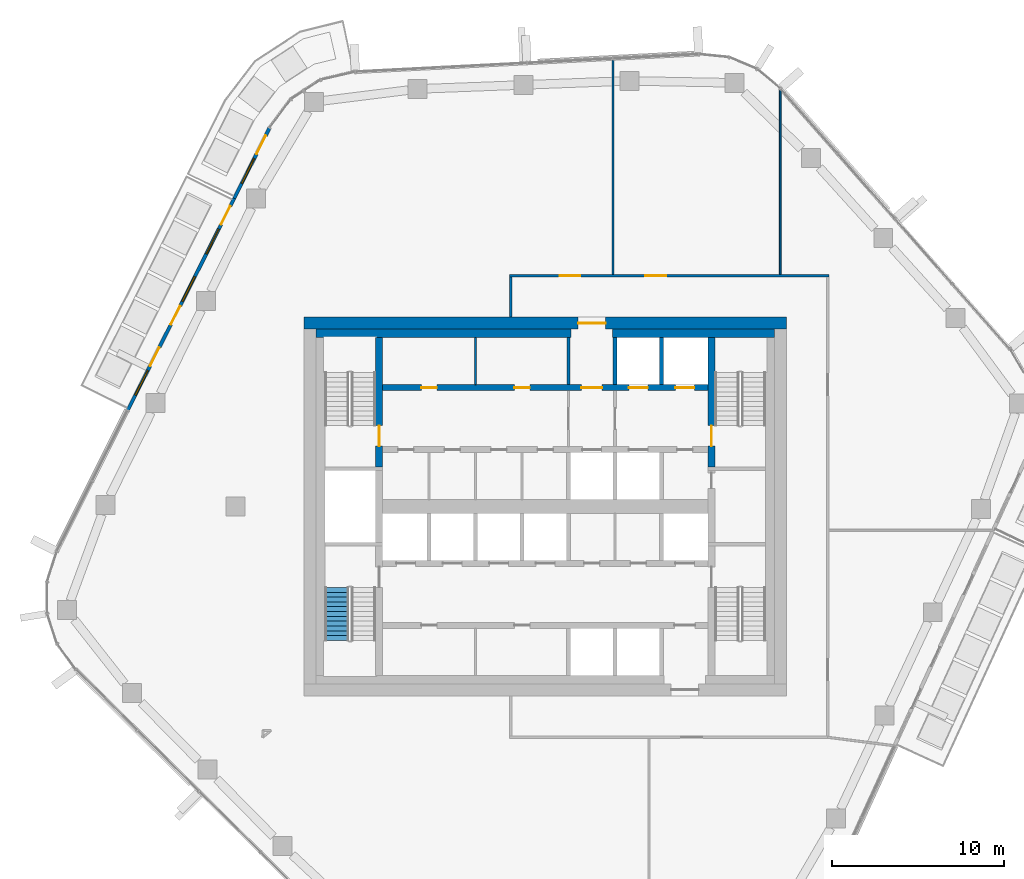
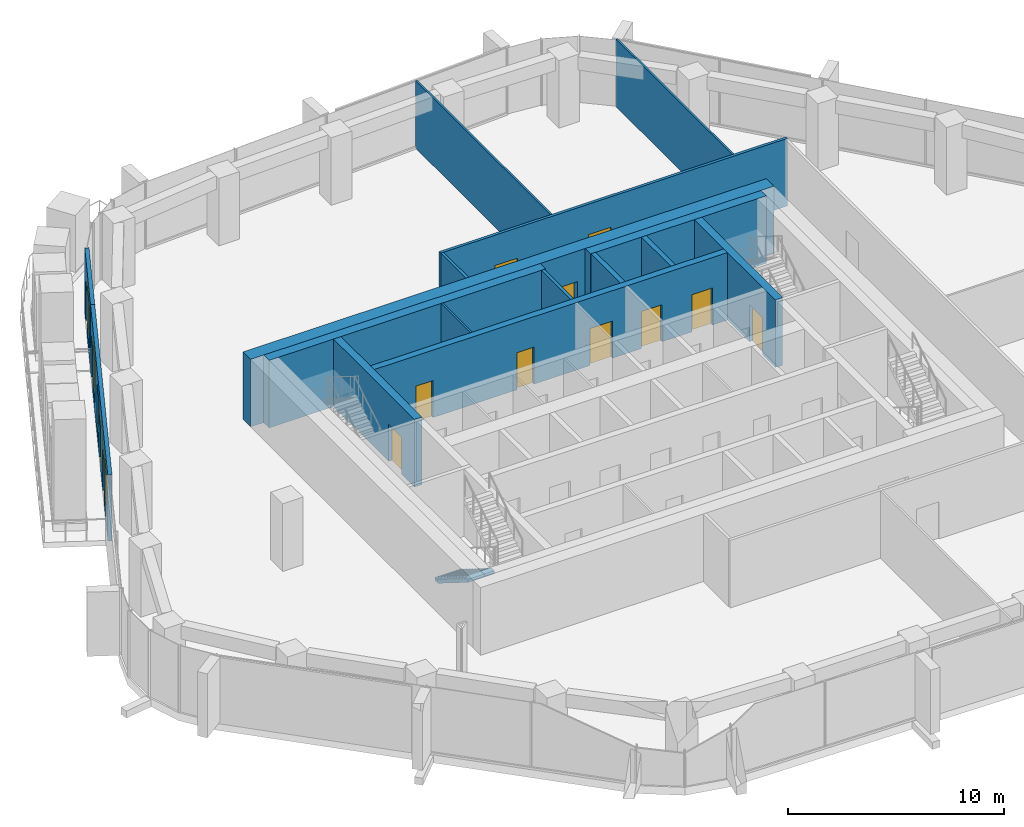
# One storey, part 14 of 22: 16 walls, 14 doors, 4 windows, 1 stair flight, 18 openings, 1 element without a shape of its own.
"""IFC4 building model written with IfcOpenShell, lengths in metres."""

import ifcopenshell
import ifcopenshell.guid

model = None  # the IFC model being written
_history = None  # IfcOwnerHistory: only IFC2X3 demands one
_inside = {}  # id of a spatial element -> (the spatial element, [elements in it])
_under = {}  # id of a project, library or spatial element -> (it, [spatial elements below it])
_declared = {}  # id of a project -> (the project, [libraries it declares])
_typed = {}  # id of a type object -> (the type object, [elements of that type])
_made_of = {}  # id of a material, layer set ... -> (it, [elements and type objects made of it])


def new_model(schema):
    """Start an empty IFC model of exactly this schema.

    Asked for "IFC4X3", IfcOpenShell would pick the latest addendum, in which some entities
    have other attributes; the version numbers below select the first issue.
    IFC2X3 requires an IfcOwnerHistory on every rooted entity: one is made here for all.
    """
    global model, _history
    if schema == "IFC4X3":
        model = ifcopenshell.file(schema_version=(4, 3, 0, 0))
    else:
        model = ifcopenshell.file(schema=schema)
    _inside.clear()
    _under.clear()
    _declared.clear()
    _typed.clear()
    _made_of.clear()
    _history = None
    if model.schema == "IFC2X3":
        org = make("IfcOrganization", Name="unknown")
        user = make(
            "IfcPersonAndOrganization",
            ThePerson=make("IfcPerson", FamilyName="unknown"),
            TheOrganization=org,
        )
        app = make(
            "IfcApplication",
            ApplicationDeveloper=org,
            Version="unknown",
            ApplicationFullName="unknown",
            ApplicationIdentifier="unknown",
        )
        _history = make(
            "IfcOwnerHistory",
            OwningUser=user,
            OwningApplication=app,
            ChangeAction="ADDED",
            CreationDate=0,
        )
    return model


def make(cls, **values):
    """One entity of the class cls with the attributes given. An attribute that is None is left unset."""
    return model.create_entity(
        cls, **{name: value for name, value in values.items() if value is not None}
    )


def rooted(cls, **values):
    """An entity with a GlobalId (a new one), such as an element, a storey or a relation."""
    return make(cls, GlobalId=ifcopenshell.guid.new(), OwnerHistory=_history, **values)


def si_unit(unit_type, name, prefix=None):
    """IfcSIUnit, for example si_unit("LENGTHUNIT", "METRE", prefix="MILLI")."""
    return make("IfcSIUnit", UnitType=unit_type, Prefix=prefix, Name=name)


def assignment(units):
    """IfcUnitAssignment: the units of a project."""
    return None if units is None else make("IfcUnitAssignment", Units=units)


def point(xyz):
    """IfcCartesianPoint."""
    return None if xyz is None else make("IfcCartesianPoint", Coordinates=xyz)


def direction(xyz):
    """IfcDirection."""
    return None if xyz is None else make("IfcDirection", DirectionRatios=xyz)


def frame(location, z_axis=None, x_axis=None):
    """IfcAxis2Placement3D, a coordinate frame: its origin and axes. An axis left out is left unset."""
    return make(
        "IfcAxis2Placement3D",
        Location=point(location),
        Axis=direction(z_axis),
        RefDirection=direction(x_axis),
    )


def frame_2d(location, x_axis=None):
    """IfcAxis2Placement2D, a coordinate frame in the plane: its origin and x axis."""
    return make(
        "IfcAxis2Placement2D", Location=point(location), RefDirection=direction(x_axis)
    )


def origin():
    """The frame at (0, 0, 0) with its axes left unset."""
    return frame((0.0, 0.0, 0.0))


def place(relative_to, where):
    """IfcLocalPlacement: puts the frame where relative to a parent placement (None: the world)."""
    return make(
        "IfcLocalPlacement", PlacementRelTo=relative_to, RelativePlacement=where
    )


def context(
    kind, dimensions, precision=None, world=None, true_north=None, identifier=None
):
    """IfcGeometricRepresentationContext, for example the 3D "Model" context."""
    return make(
        "IfcGeometricRepresentationContext",
        ContextIdentifier=identifier,
        ContextType=kind,
        CoordinateSpaceDimension=dimensions,
        Precision=precision,
        WorldCoordinateSystem=world,
        TrueNorth=true_north,
    )


def subcontext(parent, identifier, kind, view, scale=None):
    """IfcGeometricRepresentationSubContext, for example "Body" below "Model"."""
    return make(
        "IfcGeometricRepresentationSubContext",
        ContextIdentifier=identifier,
        ContextType=kind,
        ParentContext=parent,
        TargetScale=scale,
        TargetView=view,
    )


def project(units=None, contexts=None):
    """IfcProject with its units and contexts."""
    return rooted(
        "IfcProject",
        Name="project",
        RepresentationContexts=contexts,
        UnitsInContext=assignment(units),
    )


def spatial(cls, under=None, at=None, **own):
    """A site, building, storey or space (cls), placed at a placement, below another one or the project."""
    s = rooted(cls, ObjectPlacement=at, **own)
    if under is not None:
        _under.setdefault(under.id(), (under, []))[1].append(s)
    return s


def polyline(points):
    """IfcPolyline through the points."""
    return make("IfcPolyline", Points=[point(p) for p in points])


def profile(cls, at=None, kind="AREA", **sizes):
    """A parametric profile (cls). Its sizes go by their IFC names, for example OverallWidth=200.0."""
    return make(cls, ProfileType=kind, Position=at, **sizes)


def rectangle(**sizes):
    """IfcRectangleProfileDef."""
    return profile("IfcRectangleProfileDef", **sizes)


def outline(outer, holes=None, kind="AREA"):
    """IfcArbitraryClosedProfileDef: a profile drawn as a closed curve; with holes, ...WithVoids."""
    if holes is None:
        return make("IfcArbitraryClosedProfileDef", ProfileType=kind, OuterCurve=outer)
    return make(
        "IfcArbitraryProfileDefWithVoids",
        ProfileType=kind,
        OuterCurve=outer,
        InnerCurves=holes,
    )


def extrude(swept, where, along, depth):
    """IfcExtrudedAreaSolid: the profile swept, set in the frame where, extruded along a direction by depth."""
    return make(
        "IfcExtrudedAreaSolid",
        SweptArea=swept,
        Position=where,
        ExtrudedDirection=direction(along),
        Depth=depth,
    )


def shape(context_of_items, identifier, shape_type, items):
    """IfcShapeRepresentation: the items that make up one representation, for example the "Body"."""
    return make(
        "IfcShapeRepresentation",
        ContextOfItems=context_of_items,
        RepresentationIdentifier=identifier,
        RepresentationType=shape_type,
        Items=items,
    )


def material(Name=None, Category=None):
    """IfcMaterial."""
    return make("IfcMaterial", Name=Name, Category=Category)


def layer(
    of_material, thickness, ventilated=None, Name=None, Category=None, Priority=None
):
    """IfcMaterialLayer: one layer of a wall or slab, of a material (None: an air gap)."""
    return make(
        "IfcMaterialLayer",
        Material=of_material,
        LayerThickness=thickness,
        IsVentilated=ventilated,
        Name=Name,
        Category=Category,
        Priority=Priority,
    )


def layer_set(layers, Name=None):
    """IfcMaterialLayerSet."""
    return make("IfcMaterialLayerSet", MaterialLayers=layers, LayerSetName=Name)


def made_of(thing, what):
    """Note that an element or type object is made of a material, layer set ...; save() writes the relation."""
    if what is not None:
        _made_of.setdefault(what.id(), (what, []))[1].append(thing)
    return thing


def type_object(cls, material=None, **own):
    """A type object (cls), such as IfcWallType, which elements share."""
    return made_of(rooted(cls, **own), material)


def element(
    cls,
    number,
    at=None,
    inside=None,
    cuts=None,
    type_object=None,
    material=None,
    context=None,
    identifier="Body",
    shape_type=None,
    held_by="IfcProductDefinitionShape",
    body=None,
    shapes=None,
    **own,
):
    """One element of the class cls, such as IfcWall. Its Tag is "e" and its number.

    at: its placement. inside: the storey or other place that contains it. cuts: it is an
    opening in that element (IfcRelVoidsElement). A single representation is given by context,
    identifier, shape_type and body (its items); several are given by shapes. held_by: the class
    of the entity that holds the representations. save() writes the other relations.
    """
    e = rooted(cls, Tag="e%d" % number, ObjectPlacement=at, **own)
    if body is not None:
        shapes = [shape(context, identifier, shape_type, body)]
    if shapes is not None:
        e.Representation = make(held_by, Representations=shapes)
    if inside is not None:
        _inside.setdefault(inside.id(), (inside, []))[1].append(e)
    if cuts is not None:
        rooted(
            "IfcRelVoidsElement", RelatingBuildingElement=cuts, RelatedOpeningElement=e
        )
    if type_object is not None:
        _typed.setdefault(type_object.id(), (type_object, []))[1].append(e)
    return made_of(e, material)


def fill(opening, filler):
    """IfcRelFillsElement: the door or window that sits in an opening."""
    return rooted(
        "IfcRelFillsElement",
        RelatingOpeningElement=opening,
        RelatedBuildingElement=filler,
    )


def aggregate(whole, parts):
    """IfcRelAggregates: a whole, such as a stair, and the parts it consists of."""
    return rooted("IfcRelAggregates", RelatingObject=whole, RelatedObjects=parts)


def save(model, path):
    """Write the relations noted so far, then the file.

    IfcRelAggregates (storeys below a building ...), IfcRelContainedInSpatialStructure (elements
    in a storey), IfcRelDefinesByType, IfcRelAssociatesMaterial and IfcRelDeclares: one each for
    every whole, place, type object, material and project.
    """
    for whole, parts in _under.values():
        aggregate(whole, parts)
    for where, things in _inside.values():
        rooted(
            "IfcRelContainedInSpatialStructure",
            RelatedElements=things,
            RelatingStructure=where,
        )
    for kind, things in _typed.values():
        rooted("IfcRelDefinesByType", RelatedObjects=things, RelatingType=kind)
    for what, things in _made_of.values():
        rooted("IfcRelAssociatesMaterial", RelatedObjects=things, RelatingMaterial=what)
    for by, libraries in _declared.values():
        rooted("IfcRelDeclares", RelatingContext=by, RelatedDefinitions=libraries)
    model.write(path)


model = new_model("IFC4")

# Units and contexts
model_context = context("Model", 3, precision=1e-05, world=origin(), true_north=direction((0.0, 1.0)))
body_context = subcontext(model_context, "Body", "Model", "MODEL_VIEW")
ifc_project = project(units=[si_unit("LENGTHUNIT", "METRE"), si_unit("AREAUNIT", "SQUARE_METRE"), si_unit("VOLUMEUNIT", "CUBIC_METRE"), si_unit("PLANEANGLEUNIT", "RADIAN"), si_unit("MASSUNIT", "GRAM", prefix="KILO")], contexts=[model_context])

# Site, building, storey
site_placement = place(None, origin())
site = spatial("IfcSite", under=ifc_project, at=site_placement, CompositionType="ELEMENT")
building_placement = place(site_placement, origin())
building = spatial("IfcBuilding", under=site, at=building_placement, Name="Dongbaek Canopy Tower", CompositionType="ELEMENT")
storey_placement = place(building_placement, frame((0.0, 0.0, 237.0)))
storey = spatial("IfcBuildingStorey", under=building, at=storey_placement, Name="L49", CompositionType="ELEMENT", Elevation=237.0)

# Wall, openings, doors
ifc_material_1 = material(Name="Concrete C60/75", Category="concrete")
ifc_layer_1 = layer(ifc_material_1, 0.35009765625)
ifc_layer_set_1 = layer_set([ifc_layer_1], Name="Core lobby wall 350 Concrete C60/75")
wall_type_1 = type_object("IfcWallType", Name="Core lobby wall 350 Concrete C60/75", PredefinedType="SHEAR", material=ifc_layer_set_1)
wall_1_placement = place(storey_placement, frame((-9.449951171875, 6.89990234375, 0.0), z_axis=(0.0, 0.0, 1.0), x_axis=(1.0, 0.0, 0.0)))
wall_1 = element("IfcWall", 1, at=wall_1_placement, inside=storey, type_object=wall_type_1, Name="Core wall", PredefinedType="SHEAR", context=body_context, shape_type="SweptSolid", body=[
    extrude(rectangle(XDim=18.89990234375, YDim=0.35009765625, at=frame_2d((9.449951171875, 0.0))), origin(), (0.0, 0.0, 1.0), 3.820068359375),
])
opening_1_placement = place(wall_1_placement, frame((11.550048828125, 0.0, 0.0)))
opening_1 = element("IfcOpeningElement", 2, at=opening_1_placement, cuts=wall_1, Name="Opening L49-D008", PredefinedType="OPENING", context=body_context, shape_type="SweptSolid", body=[
    extrude(rectangle(XDim=1.199951171875, YDim=2.10009765625, at=frame_2d((0.60009765625, 1.050048828125))), frame((0.0, 0.18505859375, 0.0), z_axis=(0.0, -1.0, 0.0), x_axis=(1.0, 0.0, 0.0)), (0.0, 0.0, 1.0), 0.3701171875),
])
opening_2_placement = place(wall_1_placement, frame((14.300048828125, 0.0, 0.0)))
opening_2 = element("IfcOpeningElement", 3, at=opening_2_placement, cuts=wall_1, Name="Opening L49-D009", PredefinedType="OPENING", context=body_context, shape_type="SweptSolid", body=[
    extrude(rectangle(XDim=1.10009765625, YDim=2.10009765625, at=frame_2d((0.550048828125, 1.050048828125))), frame((0.0, 0.18505859375, 0.0), z_axis=(0.0, -1.0, 0.0), x_axis=(1.0, 0.0, 0.0)), (0.0, 0.0, 1.0), 0.3701171875),
])
opening_3_placement = place(wall_1_placement, frame((17.0, 0.0, 0.0)))
opening_3 = element("IfcOpeningElement", 4, at=opening_3_placement, cuts=wall_1, Name="Opening L49-D010", PredefinedType="OPENING", context=body_context, shape_type="SweptSolid", body=[
    extrude(rectangle(XDim=1.10009765625, YDim=2.10009765625, at=frame_2d((0.550048828125, 1.050048828125))), frame((0.0, 0.18505859375, 0.0), z_axis=(0.0, -1.0, 0.0), x_axis=(1.0, 0.0, 0.0)), (0.0, 0.0, 1.0), 0.3701171875),
])
opening_4_placement = place(wall_1_placement, frame((2.25, 0.0, 0.0)))
opening_4 = element("IfcOpeningElement", 5, at=opening_4_placement, cuts=wall_1, Name="Opening L49-D021", PredefinedType="OPENING", context=body_context, shape_type="SweptSolid", body=[
    extrude(rectangle(XDim=0.89990234375, YDim=2.10009765625, at=frame_2d((0.449951171875, 1.050048828125))), frame((0.0, 0.18505859375, 0.0), z_axis=(0.0, -1.0, 0.0), x_axis=(1.0, 0.0, 0.0)), (0.0, 0.0, 1.0), 0.3701171875),
])
opening_5_placement = place(wall_1_placement, frame((7.64990234375, 0.0, 0.0)))
opening_5 = element("IfcOpeningElement", 6, at=opening_5_placement, cuts=wall_1, Name="Opening L49-D022", PredefinedType="OPENING", context=body_context, shape_type="SweptSolid", body=[
    extrude(rectangle(XDim=0.89990234375, YDim=2.10009765625, at=frame_2d((0.449951171875, 1.050048828125))), frame((0.0, 0.18505859375, 0.0), z_axis=(0.0, -1.0, 0.0), x_axis=(1.0, 0.0, 0.0)), (0.0, 0.0, 1.0), 0.3701171875),
])
ifc_material_2 = material(Name="Steel", Category="steel")
door_type_1 = type_object("IfcDoorType", Name="Core room door 900 x 2100", OperationType="SINGLE_SWING_LEFT", PredefinedType="DOOR", material=ifc_material_2)
door_1_placement = place(opening_4_placement, origin())
door_1 = element("IfcDoor", 7, at=door_1_placement, inside=storey, type_object=door_type_1, Name="Door L49-D021", OperationType="SINGLE_SWING_RIGHT", OverallHeight=2.10009765625, OverallWidth=0.89990234375, PredefinedType="DOOR", context=body_context, shape_type="SweptSolid", body=[
    extrude(rectangle(XDim=0.89990234375, YDim=2.10009765625, at=frame_2d((0.449951171875, 1.050048828125))), frame((0.0, 0.02490234375, 0.0), z_axis=(0.0, -1.0, 0.0), x_axis=(1.0, 0.0, 0.0)), (0.0, 0.0, 1.0), 0.050048828125),
])
fill(opening_4, door_1)
door_2_placement = place(opening_5_placement, origin())
door_2 = element("IfcDoor", 8, at=door_2_placement, inside=storey, type_object=door_type_1, Name="Door L49-D022", OperationType="SINGLE_SWING_LEFT", OverallHeight=2.10009765625, OverallWidth=0.89990234375, PredefinedType="DOOR", context=body_context, shape_type="SweptSolid", body=[
    extrude(rectangle(XDim=0.89990234375, YDim=2.10009765625, at=frame_2d((0.449951171875, 1.050048828125))), frame((0.0, 0.02490234375, 0.0), z_axis=(0.0, -1.0, 0.0), x_axis=(1.0, 0.0, 0.0)), (0.0, 0.0, 1.0), 0.050048828125),
])
fill(opening_5, door_2)
ifc_material_3 = material(Name="Steel", Category="steel")
door_type_2 = type_object("IfcDoorType", Name="Fire lobby door 1200 x 2100", OperationType="SINGLE_SWING_LEFT", PredefinedType="DOOR", material=ifc_material_3)
door_3_placement = place(opening_1_placement, origin())
door_3 = element("IfcDoor", 9, at=door_3_placement, inside=storey, type_object=door_type_2, Name="Door L49-D008", OperationType="SINGLE_SWING_LEFT", OverallHeight=2.10009765625, OverallWidth=1.199951171875, PredefinedType="DOOR", context=body_context, shape_type="SweptSolid", body=[
    extrude(rectangle(XDim=1.199951171875, YDim=2.10009765625, at=frame_2d((0.60009765625, 1.050048828125))), frame((0.0, 0.02490234375, 0.0), z_axis=(0.0, -1.0, 0.0), x_axis=(1.0, 0.0, 0.0)), (0.0, 0.0, 1.0), 0.050048828125),
])
fill(opening_1, door_3)
ifc_material_4 = material(Name="Stainless steel", Category="steel")
door_type_3 = type_object("IfcDoorType", Name="Lift landing door 1100 x 2100", OperationType="DOUBLE_DOOR_SLIDING", PredefinedType="DOOR", material=ifc_material_4)
door_4_placement = place(opening_2_placement, origin())
door_4 = element("IfcDoor", 10, at=door_4_placement, inside=storey, type_object=door_type_3, Name="Landing door FF1", OperationType="DOUBLE_DOOR_SLIDING", OverallHeight=2.10009765625, OverallWidth=1.10009765625, PredefinedType="DOOR", context=body_context, shape_type="SweptSolid", body=[
    extrude(rectangle(XDim=1.10009765625, YDim=2.10009765625, at=frame_2d((0.550048828125, 1.050048828125))), frame((0.0, 0.02490234375, 0.0), z_axis=(0.0, -1.0, 0.0), x_axis=(1.0, 0.0, 0.0)), (0.0, 0.0, 1.0), 0.050048828125),
])
fill(opening_2, door_4)
door_5_placement = place(opening_3_placement, origin())
door_5 = element("IfcDoor", 11, at=door_5_placement, inside=storey, type_object=door_type_3, Name="Landing door FF2", OperationType="DOUBLE_DOOR_SLIDING", OverallHeight=2.10009765625, OverallWidth=1.10009765625, PredefinedType="DOOR", context=body_context, shape_type="SweptSolid", body=[
    extrude(rectangle(XDim=1.10009765625, YDim=2.10009765625, at=frame_2d((0.550048828125, 1.050048828125))), frame((0.0, 0.02490234375, 0.0), z_axis=(0.0, -1.0, 0.0), x_axis=(1.0, 0.0, 0.0)), (0.0, 0.0, 1.0), 0.050048828125),
])
fill(opening_3, door_5)

# Wall, opening, door
ifc_material_5 = material(Name="Concrete C70/85", Category="concrete")
ifc_layer_2 = layer(ifc_material_5, 0.699951171875)
ifc_layer_set_2 = layer_set([ifc_layer_2], Name="Core outer wall 700 Concrete C70/85")
wall_type_2 = type_object("IfcWallType", Name="Core outer wall 700 Concrete C70/85", PredefinedType="SHEAR", material=ifc_layer_set_2)
wall_2_placement = place(storey_placement, frame((-14.0, 10.64990234375, 0.0), z_axis=(0.0, 0.0, 1.0), x_axis=(1.0, 0.0, 0.0)))
wall_2 = element("IfcWall", 12, at=wall_2_placement, inside=storey, type_object=wall_type_2, Name="Core wall", PredefinedType="SHEAR", context=body_context, shape_type="SweptSolid", body=[
    extrude(rectangle(XDim=28.0, YDim=0.699951171875, at=frame_2d((14.0, 0.0))), origin(), (0.0, 0.0, 1.0), 3.820068359375),
])
opening_6_placement = place(wall_2_placement, frame((15.89990234375, 0.0, 0.0)))
opening_6 = element("IfcOpeningElement", 13, at=opening_6_placement, cuts=wall_2, Name="Opening L49-D007", PredefinedType="OPENING", context=body_context, shape_type="SweptSolid", body=[
    extrude(rectangle(XDim=1.60009765625, YDim=2.10009765625, at=frame_2d((0.800048828125, 1.050048828125))), frame((0.0, 0.35986328125, 0.0), z_axis=(0.0, -1.0, 0.0), x_axis=(1.0, 0.0, 0.0)), (0.0, 0.0, 1.0), 0.719970703125),
])
ifc_material_6 = material(Name="Steel", Category="steel")
door_type_4 = type_object("IfcDoorType", Name="Core exit door 1600 x 2100", OperationType="DOUBLE_DOOR_SINGLE_SWING", PredefinedType="DOOR", material=ifc_material_6)
door_6_placement = place(opening_6_placement, origin())
door_6 = element("IfcDoor", 14, at=door_6_placement, inside=storey, type_object=door_type_4, Name="Core exit door", OperationType="DOUBLE_DOOR_SINGLE_SWING", OverallHeight=2.10009765625, OverallWidth=1.60009765625, PredefinedType="DOOR", context=body_context, shape_type="SweptSolid", body=[
    extrude(rectangle(XDim=1.60009765625, YDim=2.10009765625, at=frame_2d((0.800048828125, 1.050048828125))), frame((0.0, 0.02490234375, 0.0), z_axis=(0.0, -1.0, 0.0), x_axis=(1.0, 0.0, 0.0)), (0.0, 0.0, 1.0), 0.050048828125),
])
fill(opening_6, door_6)

# Walls
ifc_material_7 = material(Name="Concrete C60/75", Category="concrete")
ifc_layer_3 = layer(ifc_material_7, 0.5)
ifc_layer_set_3 = layer_set([ifc_layer_3], Name="Core wall lining 500 Concrete C60/75")
wall_type_3 = type_object("IfcWallType", Name="Core wall lining 500 Concrete C60/75", PredefinedType="SHEAR", material=ifc_layer_set_3)
wall_3_placement = place(storey_placement, frame((-13.300048828125, 10.050048828125, 0.0), z_axis=(0.0, 0.0, 1.0), x_axis=(1.0, 0.0, 0.0)))
element("IfcWall", 15, at=wall_3_placement, inside=storey, type_object=wall_type_3, Name="Core wall lining", PredefinedType="SHEAR", context=body_context, shape_type="SweptSolid", body=[
    extrude(rectangle(XDim=14.800048828125, YDim=0.5, at=frame_2d((7.39990234375, 0.0))), origin(), (0.0, 0.0, 1.0), 3.820068359375),
])
wall_4_placement = place(storey_placement, frame((3.89990234375, 10.050048828125, 0.0), z_axis=(0.0, 0.0, 1.0), x_axis=(1.0, 0.0, 0.0)))
element("IfcWall", 16, at=wall_4_placement, inside=storey, type_object=wall_type_3, Name="Core wall lining", PredefinedType="SHEAR", context=body_context, shape_type="SweptSolid", body=[
    extrude(rectangle(XDim=9.400146484375, YDim=0.5, at=frame_2d((4.7001953125, 0.0))), origin(), (0.0, 0.0, 1.0), 3.820068359375),
])

# Wall, openings, doors
ifc_material_8 = material(Name="Gypsum board partition, steel stud, 2 x 15 mm fire board", Category="steel")
ifc_layer_4 = layer(ifc_material_8, 0.14990234375)
ifc_layer_set_4 = layer_set([ifc_layer_4], Name="Fire-rated partition 150 gypsum board")
wall_type_4 = type_object("IfcWallType", Name="Fire-rated partition 150 gypsum board", PredefinedType="PARTITIONING", material=ifc_layer_set_4)
wall_5_placement = place(storey_placement, frame((-2.074951171875, 13.39990234375, 0.0), z_axis=(0.0, 0.0, 1.0), x_axis=(1.0, 0.0, 0.0)))
wall_5 = element("IfcWall", 17, at=wall_5_placement, inside=storey, type_object=wall_type_4, Name="Corridor partition", PredefinedType="PARTITIONING", context=body_context, shape_type="SweptSolid", body=[
    extrude(rectangle(XDim=18.550048828125, YDim=0.14990234375, at=frame_2d((9.27490234375, 0.0))), origin(), (0.0, 0.0, 1.0), 3.820068359375),
])
opening_7_placement = place(wall_5_placement, frame((2.91015625, 0.0, 0.0)))
opening_7 = element("IfcOpeningElement", 18, at=opening_7_placement, cuts=wall_5, Name="Opening L49-D001", PredefinedType="OPENING", context=body_context, shape_type="SweptSolid", body=[
    extrude(rectangle(XDim=1.199951171875, YDim=2.10009765625, at=frame_2d((0.60009765625, 1.050048828125))), frame((0.0, 0.0849609375, 0.0), z_axis=(0.0, -1.0, 0.0), x_axis=(1.0, 0.0, 0.0)), (0.0, 0.0, 1.0), 0.169921875),
])
opening_8_placement = place(wall_5_placement, frame((7.8935546875, 0.0, 0.0)))
opening_8 = element("IfcOpeningElement", 19, at=opening_8_placement, cuts=wall_5, Name="Opening L49-D005", PredefinedType="OPENING", context=body_context, shape_type="SweptSolid", body=[
    extrude(rectangle(XDim=1.199951171875, YDim=2.10009765625, at=frame_2d((0.60009765625, 1.050048828125))), frame((0.0, 0.0849609375, 0.0), z_axis=(0.0, -1.0, 0.0), x_axis=(1.0, 0.0, 0.0)), (0.0, 0.0, 1.0), 0.169921875),
])
ifc_material_9 = material(Name="Timber veneered door leaf", Category="wood")
door_type_5 = type_object("IfcDoorType", Name="Room door 1200 x 2100", OperationType="SINGLE_SWING_LEFT", PredefinedType="DOOR", material=ifc_material_9)
door_7_placement = place(opening_7_placement, origin())
door_7 = element("IfcDoor", 20, at=door_7_placement, inside=storey, type_object=door_type_5, Name="Door L49-D001", OperationType="SINGLE_SWING_RIGHT", OverallHeight=2.10009765625, OverallWidth=1.199951171875, PredefinedType="DOOR", context=body_context, shape_type="SweptSolid", body=[
    extrude(rectangle(XDim=1.199951171875, YDim=2.10009765625, at=frame_2d((0.60009765625, 1.050048828125))), frame((0.0, 0.02490234375, 0.0), z_axis=(0.0, -1.0, 0.0), x_axis=(1.0, 0.0, 0.0)), (0.0, 0.0, 1.0), 0.050048828125),
])
fill(opening_7, door_7)
door_8_placement = place(opening_8_placement, origin())
door_8 = element("IfcDoor", 21, at=door_8_placement, inside=storey, type_object=door_type_5, Name="Door L49-D005", OperationType="SINGLE_SWING_RIGHT", OverallHeight=2.10009765625, OverallWidth=1.199951171875, PredefinedType="DOOR", context=body_context, shape_type="SweptSolid", body=[
    extrude(rectangle(XDim=1.199951171875, YDim=2.10009765625, at=frame_2d((0.60009765625, 1.050048828125))), frame((0.0, 0.02490234375, 0.0), z_axis=(0.0, -1.0, 0.0), x_axis=(1.0, 0.0, 0.0)), (0.0, 0.0, 1.0), 0.050048828125),
])
fill(opening_8, door_8)

# Walls
wall_6_placement = place(storey_placement, frame((-2.0, 11.0, 0.0), z_axis=(0.0, 0.0, 1.0), x_axis=(0.0, 1.0, 0.0)))
element("IfcWall", 22, at=wall_6_placement, inside=storey, type_object=wall_type_4, Name="Corridor partition", PredefinedType="PARTITIONING", context=body_context, shape_type="SweptSolid", body=[
    extrude(rectangle(XDim=2.324951171875, YDim=0.14990234375, at=frame_2d((1.16259765625, 0.0))), origin(), (0.0, 0.0, 1.0), 3.820068359375),
])
wall_7_placement = place(storey_placement, frame((1.35009765625, 7.074951171875, 0.0), z_axis=(0.0, 0.0, 1.0), x_axis=(0.0, 1.0, 0.0)))
element("IfcWall", 23, at=wall_7_placement, inside=storey, type_object=wall_type_4, Name="Fire lobby partition", PredefinedType="PARTITIONING", context=body_context, shape_type="SweptSolid", body=[
    extrude(rectangle(XDim=2.72509765625, YDim=0.14990234375, at=frame_2d((1.362548828125, 0.0))), origin(), (0.0, 0.0, 1.0), 3.820068359375),
])
ifc_material_10 = material(Name="Concrete C40/50", Category="concrete")
ifc_layer_5 = layer(ifc_material_10, 0.25)
ifc_layer_set_5 = layer_set([ifc_layer_5], Name="Lift shaft wall 250 Concrete C40/50")
wall_type_5 = type_object("IfcWallType", Name="Lift shaft wall 250 Concrete C40/50", PredefinedType="SOLIDWALL", material=ifc_layer_set_5)
for number, where, z_axis, x_axis, name in (
    (24, (6.75, 7.074951171875, 0.0), (0.0, 0.0, 1.0), (0.0, 1.0, 0.0), "Lift shaft wall"),
    (25, (4.050048828125, 7.074951171875, 0.0), (0.0, 0.0, 1.0), (0.0, 1.0, 0.0), "Lift shaft wall"),
):
    element("IfcWall", number, at=place(storey_placement, frame(where, z_axis=z_axis, x_axis=x_axis)), inside=storey, type_object=wall_type_5, Name=name, PredefinedType="SOLIDWALL", context=body_context, shape_type="SweptSolid", body=[
        extrude(rectangle(XDim=2.72509765625, YDim=0.25, at=frame_2d((1.362548828125, 0.0))), origin(), (0.0, 0.0, 1.0), 3.820068359375),
    ])
ifc_material_11 = material(Name="Gypsum board partition, steel stud, 2 x 12.5 mm board", Category="steel")
ifc_layer_6 = layer(ifc_material_11, 0.10009765625)
ifc_layer_set_6 = layer_set([ifc_layer_6], Name="Partition 100 gypsum board")
wall_type_6 = type_object("IfcWallType", Name="Partition 100 gypsum board", PredefinedType="PARTITIONING", material=ifc_layer_set_6)
wall_8_placement = place(storey_placement, frame((13.64697265625, 13.47509765625, 0.0), z_axis=(0.0, 0.0, 1.0), x_axis=(0.0, 1.0, 0.0)))
element("IfcWall", 26, at=wall_8_placement, inside=storey, type_object=wall_type_6, Name="Partition", PredefinedType="PARTITIONING", context=body_context, shape_type="SweptSolid", body=[
    extrude(rectangle(XDim=10.759521484375, YDim=0.10009765625, at=frame_2d((5.3798828125, 0.0))), origin(), (0.0, 0.0, 1.0), 3.820068359375),
])
wall_9_placement = place(storey_placement, frame((3.928955078125, 13.47509765625, 0.0), z_axis=(0.0, 0.0, 1.0), x_axis=(0.0, 1.0, 0.0)))
element("IfcWall", 27, at=wall_9_placement, inside=storey, type_object=wall_type_6, Name="Partition", PredefinedType="PARTITIONING", context=body_context, shape_type="SweptSolid", body=[
    extrude(rectangle(XDim=12.50830078125, YDim=0.10009765625, at=frame_2d((6.254150390625, 0.0))), origin(), (0.0, 0.0, 1.0), 3.820068359375),
])
wall_10_placement = place(storey_placement, frame((-4.050048828125, 7.074951171875, 0.0), z_axis=(0.0, 0.0, 1.0), x_axis=(0.0, 1.0, 0.0)))
element("IfcWall", 28, at=wall_10_placement, inside=storey, type_object=wall_type_6, Name="Core partition", PredefinedType="PARTITIONING", context=body_context, shape_type="SweptSolid", body=[
    extrude(rectangle(XDim=2.72509765625, YDim=0.10009765625, at=frame_2d((1.362548828125, 0.0))), origin(), (0.0, 0.0, 1.0), 3.820068359375),
])

# Wall, opening, door
ifc_material_12 = material(Name="Concrete C60/75", Category="concrete")
ifc_layer_7 = layer(ifc_material_12, 0.39990234375)
ifc_layer_set_7 = layer_set([ifc_layer_7], Name="Stair wall 400 Concrete C60/75")
wall_type_7 = type_object("IfcWallType", Name="Stair wall 400 Concrete C60/75", PredefinedType="SHEAR", material=ifc_layer_set_7)
wall_11_placement = place(storey_placement, frame((9.64990234375, 9.800048828125, 0.0), z_axis=(0.0, 0.0, 1.0), x_axis=(0.0, -1.0, 0.0)))
wall_11 = element("IfcWall", 29, at=wall_11_placement, inside=storey, type_object=wall_type_7, Name="Stair wall", PredefinedType="SHEAR", context=body_context, shape_type="SweptSolid", body=[
    extrude(rectangle(XDim=7.5, YDim=0.39990234375, at=frame_2d((3.75, 0.0))), origin(), (0.0, 0.0, 1.0), 3.820068359375),
])
opening_9_placement = place(wall_11_placement, frame((5.10009765625, 0.0, 0.0)))
opening_9 = element("IfcOpeningElement", 30, at=opening_9_placement, cuts=wall_11, Name="Opening L49-D031", PredefinedType="OPENING", context=body_context, shape_type="SweptSolid", body=[
    extrude(rectangle(XDim=1.199951171875, YDim=2.10009765625, at=frame_2d((0.60009765625, 1.050048828125))), frame((0.0, 0.2099609375, 0.0), z_axis=(0.0, -1.0, 0.0), x_axis=(1.0, 0.0, 0.0)), (0.0, 0.0, 1.0), 0.419921875),
])
ifc_material_13 = material(Name="Steel", Category="steel")
door_type_6 = type_object("IfcDoorType", Name="Stair door 1200 x 2100", OperationType="SINGLE_SWING_LEFT", PredefinedType="DOOR", material=ifc_material_13)
door_9_placement = place(opening_9_placement, origin())
door_9 = element("IfcDoor", 31, at=door_9_placement, inside=storey, type_object=door_type_6, Name="Stair A door", OperationType="SINGLE_SWING_LEFT", OverallHeight=2.10009765625, OverallWidth=1.199951171875, PredefinedType="DOOR", context=body_context, shape_type="SweptSolid", body=[
    extrude(rectangle(XDim=1.199951171875, YDim=2.10009765625, at=frame_2d((0.60009765625, 1.050048828125))), frame((0.0, 0.02490234375, 0.0), z_axis=(0.0, -1.0, 0.0), x_axis=(1.0, 0.0, 0.0)), (0.0, 0.0, 1.0), 0.050048828125),
])
fill(opening_9, door_9)

wall_12_placement = place(storey_placement, frame((-9.64990234375, 2.300048828125, 0.0), z_axis=(0.0, 0.0, 1.0), x_axis=(0.0, 1.0, 0.0)))
wall_12 = element("IfcWall", 32, at=wall_12_placement, inside=storey, type_object=wall_type_7, Name="Stair wall", PredefinedType="SHEAR", context=body_context, shape_type="SweptSolid", body=[
    extrude(rectangle(XDim=7.5, YDim=0.39990234375, at=frame_2d((3.75, 0.0))), origin(), (0.0, 0.0, 1.0), 3.820068359375),
])
opening_10_placement = place(wall_12_placement, frame((1.199951171875, 0.0, 0.0)))
opening_10 = element("IfcOpeningElement", 33, at=opening_10_placement, cuts=wall_12, Name="Opening L49-D032", PredefinedType="OPENING", context=body_context, shape_type="SweptSolid", body=[
    extrude(rectangle(XDim=1.199951171875, YDim=2.10009765625, at=frame_2d((0.60009765625, 1.050048828125))), frame((0.0, 0.2099609375, 0.0), z_axis=(0.0, -1.0, 0.0), x_axis=(1.0, 0.0, 0.0)), (0.0, 0.0, 1.0), 0.419921875),
])
door_10_placement = place(opening_10_placement, origin())
door_10 = element("IfcDoor", 34, at=door_10_placement, inside=storey, type_object=door_type_6, Name="Stair C door", OperationType="SINGLE_SWING_RIGHT", OverallHeight=2.10009765625, OverallWidth=1.199951171875, PredefinedType="DOOR", context=body_context, shape_type="SweptSolid", body=[
    extrude(rectangle(XDim=1.199951171875, YDim=2.10009765625, at=frame_2d((0.60009765625, 1.050048828125))), frame((0.0, 0.02490234375, 0.0), z_axis=(0.0, -1.0, 0.0), x_axis=(1.0, 0.0, 0.0)), (0.0, 0.0, 1.0), 0.050048828125),
])
fill(opening_10, door_10)

# Wall, openings, doors, windows
ifc_material_14 = material(Name="Aluminium window wall", Category="aluminium")
ifc_layer_8 = layer(ifc_material_14, 0.199951171875)
ifc_layer_set_8 = layer_set([ifc_layer_8], Name="Window wall 200")
wall_type_8 = type_object("IfcWallType", Name="Window wall 200", PredefinedType="SOLIDWALL", material=ifc_layer_set_8)
wall_13_placement = place(storey_placement, frame((-18.063720703125, 17.89111328125, 0.0), z_axis=(0.0, 0.0, 1.0), x_axis=(-0.448914630317, -0.893574649756, 0.0)))
wall_13 = element("IfcWall", 35, at=wall_13_placement, inside=storey, type_object=wall_type_8, Name="Window wall L49 1", PredefinedType="SOLIDWALL", context=body_context, shape_type="SweptSolid", body=[
    extrude(rectangle(XDim=13.771728515625, YDim=0.199951171875, at=frame_2d((6.8857421875, 0.0))), origin(), (0.0, 0.0, 1.0), 3.75),
])
opening_11_placement = place(wall_13_placement, frame((2.0, 0.0, 0.60009765625)))
opening_11 = element("IfcOpeningElement", 36, at=opening_11_placement, cuts=wall_13, Name="Opening W1", PredefinedType="OPENING", context=body_context, shape_type="SweptSolid", body=[
    extrude(rectangle(XDim=1.60009765625, YDim=2.39990234375, at=frame_2d((0.800048828125, 1.199951171875))), frame((0.0, 0.10986328125, 0.0), z_axis=(0.0, -1.0, 0.0), x_axis=(1.0, 0.0, 0.0)), (0.0, 0.0, 1.0), 0.219970703125),
])
opening_12_placement = place(wall_13_placement, frame((0.5, 0.0, 0.0)))
opening_12 = element("IfcOpeningElement", 37, at=opening_12_placement, cuts=wall_13, Name="Opening L49-B01", PredefinedType="OPENING", context=body_context, shape_type="SweptSolid", body=[
    extrude(rectangle(XDim=1.199951171875, YDim=2.39990234375, at=frame_2d((0.60009765625, 1.199951171875))), frame((0.0, 0.10986328125, 0.0), z_axis=(0.0, -1.0, 0.0), x_axis=(1.0, 0.0, 0.0)), (0.0, 0.0, 1.0), 0.219970703125),
])
opening_13_placement = place(wall_13_placement, frame((5.090576171875, 0.0, 0.60009765625)))
opening_13 = element("IfcOpeningElement", 38, at=opening_13_placement, cuts=wall_13, Name="Opening W1", PredefinedType="OPENING", context=body_context, shape_type="SweptSolid", body=[
    extrude(rectangle(XDim=1.60009765625, YDim=2.39990234375, at=frame_2d((0.800048828125, 1.199951171875))), frame((0.0, 0.10986328125, 0.0), z_axis=(0.0, -1.0, 0.0), x_axis=(1.0, 0.0, 0.0)), (0.0, 0.0, 1.0), 0.219970703125),
])
opening_14_placement = place(wall_13_placement, frame((6.99072265625, 0.0, 0.0)))
opening_14 = element("IfcOpeningElement", 39, at=opening_14_placement, cuts=wall_13, Name="Opening L49-B02", PredefinedType="OPENING", context=body_context, shape_type="SweptSolid", body=[
    extrude(rectangle(XDim=1.199951171875, YDim=2.39990234375, at=frame_2d((0.60009765625, 1.199951171875))), frame((0.0, 0.10986328125, 0.0), z_axis=(0.0, -1.0, 0.0), x_axis=(1.0, 0.0, 0.0)), (0.0, 0.0, 1.0), 0.219970703125),
])
opening_15_placement = place(wall_13_placement, frame((11.18115234375, 0.0, 0.60009765625)))
opening_15 = element("IfcOpeningElement", 40, at=opening_15_placement, cuts=wall_13, Name="Opening W1", PredefinedType="OPENING", context=body_context, shape_type="SweptSolid", body=[
    extrude(rectangle(XDim=1.60009765625, YDim=2.39990234375, at=frame_2d((0.800048828125, 1.199951171875))), frame((0.0, 0.10986328125, 0.0), z_axis=(0.0, -1.0, 0.0), x_axis=(1.0, 0.0, 0.0)), (0.0, 0.0, 1.0), 0.219970703125),
])
opening_16_placement = place(wall_13_placement, frame((9.68115234375, 0.0, 0.0)))
opening_16 = element("IfcOpeningElement", 41, at=opening_16_placement, cuts=wall_13, Name="Opening L49-B03", PredefinedType="OPENING", context=body_context, shape_type="SweptSolid", body=[
    extrude(rectangle(XDim=1.199951171875, YDim=2.39990234375, at=frame_2d((0.60009765625, 1.199951171875))), frame((0.0, 0.10986328125, 0.0), z_axis=(0.0, -1.0, 0.0), x_axis=(1.0, 0.0, 0.0)), (0.0, 0.0, 1.0), 0.219970703125),
])
ifc_material_15 = material(Name="Clear glazing in aluminium frame", Category="aluminium")
door_type_7 = type_object("IfcDoorType", Name="Balcony door BD1 1200 x 2400", OperationType="SLIDING_TO_LEFT", PredefinedType="DOOR", material=ifc_material_15)
door_11_placement = place(opening_12_placement, origin())
door_11 = element("IfcDoor", 42, at=door_11_placement, inside=storey, type_object=door_type_7, Name="Balcony door L49-B01", OperationType="SLIDING_TO_LEFT", OverallHeight=2.39990234375, OverallWidth=1.199951171875, PredefinedType="DOOR", context=body_context, shape_type="SweptSolid", body=[
    extrude(rectangle(XDim=1.199951171875, YDim=2.39990234375, at=frame_2d((0.60009765625, 1.199951171875))), frame((0.0, 0.02490234375, 0.0), z_axis=(0.0, -1.0, 0.0), x_axis=(1.0, 0.0, 0.0)), (0.0, 0.0, 1.0), 0.050048828125),
])
fill(opening_12, door_11)
door_12_placement = place(opening_14_placement, origin())
door_12 = element("IfcDoor", 43, at=door_12_placement, inside=storey, type_object=door_type_7, Name="Balcony door L49-B02", OperationType="SLIDING_TO_LEFT", OverallHeight=2.39990234375, OverallWidth=1.199951171875, PredefinedType="DOOR", context=body_context, shape_type="SweptSolid", body=[
    extrude(rectangle(XDim=1.199951171875, YDim=2.39990234375, at=frame_2d((0.60009765625, 1.199951171875))), frame((0.0, 0.02490234375, 0.0), z_axis=(0.0, -1.0, 0.0), x_axis=(1.0, 0.0, 0.0)), (0.0, 0.0, 1.0), 0.050048828125),
])
fill(opening_14, door_12)
door_13_placement = place(opening_16_placement, origin())
door_13 = element("IfcDoor", 44, at=door_13_placement, inside=storey, type_object=door_type_7, Name="Balcony door L49-B03", OperationType="SLIDING_TO_LEFT", OverallHeight=2.39990234375, OverallWidth=1.199951171875, PredefinedType="DOOR", context=body_context, shape_type="SweptSolid", body=[
    extrude(rectangle(XDim=1.199951171875, YDim=2.39990234375, at=frame_2d((0.60009765625, 1.199951171875))), frame((0.0, 0.02490234375, 0.0), z_axis=(0.0, -1.0, 0.0), x_axis=(1.0, 0.0, 0.0)), (0.0, 0.0, 1.0), 0.050048828125),
])
fill(opening_16, door_13)
ifc_material_16 = material(Name="Clear glazing in aluminium frame", Category="aluminium")
window_type = type_object("IfcWindowType", Name="Window W1 1600 x 2400", PartitioningType="SINGLE_PANEL", PredefinedType="WINDOW", material=ifc_material_16)
window_1_placement = place(opening_11_placement, origin())
window_1 = element("IfcWindow", 45, at=window_1_placement, inside=storey, type_object=window_type, Name="Window L49 1.1", OverallHeight=2.39990234375, OverallWidth=1.60009765625, PartitioningType="SINGLE_PANEL", PredefinedType="WINDOW", context=body_context, shape_type="SweptSolid", body=[
    extrude(rectangle(XDim=1.60009765625, YDim=2.39990234375, at=frame_2d((0.800048828125, 1.199951171875))), frame((0.0, 0.030029296875, 0.0), z_axis=(0.0, -1.0, 0.0), x_axis=(1.0, 0.0, 0.0)), (0.0, 0.0, 1.0), 0.06005859375),
])
fill(opening_11, window_1)
window_2_placement = place(opening_13_placement, origin())
window_2 = element("IfcWindow", 46, at=window_2_placement, inside=storey, type_object=window_type, Name="Window L49 1.2", OverallHeight=2.39990234375, OverallWidth=1.60009765625, PartitioningType="SINGLE_PANEL", PredefinedType="WINDOW", context=body_context, shape_type="SweptSolid", body=[
    extrude(rectangle(XDim=1.60009765625, YDim=2.39990234375, at=frame_2d((0.800048828125, 1.199951171875))), frame((0.0, 0.030029296875, 0.0), z_axis=(0.0, -1.0, 0.0), x_axis=(1.0, 0.0, 0.0)), (0.0, 0.0, 1.0), 0.06005859375),
])
fill(opening_13, window_2)
window_3_placement = place(opening_15_placement, origin())
window_3 = element("IfcWindow", 47, at=window_3_placement, inside=storey, type_object=window_type, Name="Window L49 1.3", OverallHeight=2.39990234375, OverallWidth=1.60009765625, PartitioningType="SINGLE_PANEL", PredefinedType="WINDOW", context=body_context, shape_type="SweptSolid", body=[
    extrude(rectangle(XDim=1.60009765625, YDim=2.39990234375, at=frame_2d((0.800048828125, 1.199951171875))), frame((0.0, 0.030029296875, 0.0), z_axis=(0.0, -1.0, 0.0), x_axis=(1.0, 0.0, 0.0)), (0.0, 0.0, 1.0), 0.06005859375),
])
fill(opening_15, window_3)

# Wall, openings, door, window
wall_14_placement = place(storey_placement, frame((-16.007080078125, 21.9853515625, 0.0), z_axis=(0.0, 0.0, 1.0), x_axis=(-0.448875324163, -0.893594395325, 0.0)))
wall_14 = element("IfcWall", 48, at=wall_14_placement, inside=storey, type_object=wall_type_8, Name="Window wall L49 4", PredefinedType="SOLIDWALL", context=body_context, shape_type="SweptSolid", body=[
    extrude(rectangle(XDim=4.581787109375, YDim=0.199951171875, at=frame_2d((2.291015625, 0.0))), origin(), (0.0, 0.0, 1.0), 3.75),
])
opening_17_placement = place(wall_14_placement, frame((2.0, 0.0, 0.60009765625)))
opening_17 = element("IfcOpeningElement", 49, at=opening_17_placement, cuts=wall_14, Name="Opening W1", PredefinedType="OPENING", context=body_context, shape_type="SweptSolid", body=[
    extrude(rectangle(XDim=1.60009765625, YDim=2.39990234375, at=frame_2d((0.800048828125, 1.199951171875))), frame((0.0, 0.10986328125, 0.0), z_axis=(0.0, -1.0, 0.0), x_axis=(1.0, 0.0, 0.0)), (0.0, 0.0, 1.0), 0.219970703125),
])
opening_18_placement = place(wall_14_placement, frame((0.5, 0.0, 0.0)))
opening_18 = element("IfcOpeningElement", 50, at=opening_18_placement, cuts=wall_14, Name="Opening L49-B04", PredefinedType="OPENING", context=body_context, shape_type="SweptSolid", body=[
    extrude(rectangle(XDim=1.199951171875, YDim=2.39990234375, at=frame_2d((0.60009765625, 1.199951171875))), frame((0.0, 0.10986328125, 0.0), z_axis=(0.0, -1.0, 0.0), x_axis=(1.0, 0.0, 0.0)), (0.0, 0.0, 1.0), 0.219970703125),
])
door_14_placement = place(opening_18_placement, origin())
door_14 = element("IfcDoor", 51, at=door_14_placement, inside=storey, type_object=door_type_7, Name="Balcony door L49-B04", OperationType="SLIDING_TO_LEFT", OverallHeight=2.39990234375, OverallWidth=1.199951171875, PredefinedType="DOOR", context=body_context, shape_type="SweptSolid", body=[
    extrude(rectangle(XDim=1.199951171875, YDim=2.39990234375, at=frame_2d((0.60009765625, 1.199951171875))), frame((0.0, 0.02490234375, 0.0), z_axis=(0.0, -1.0, 0.0), x_axis=(1.0, 0.0, 0.0)), (0.0, 0.0, 1.0), 0.050048828125),
])
fill(opening_18, door_14)
window_4_placement = place(opening_17_placement, origin())
window_4 = element("IfcWindow", 52, at=window_4_placement, inside=storey, type_object=window_type, Name="Window L49 4.1", OverallHeight=2.39990234375, OverallWidth=1.60009765625, PartitioningType="SINGLE_PANEL", PredefinedType="WINDOW", context=body_context, shape_type="SweptSolid", body=[
    extrude(rectangle(XDim=1.60009765625, YDim=2.39990234375, at=frame_2d((0.800048828125, 1.199951171875))), frame((0.0, 0.030029296875, 0.0), z_axis=(0.0, -1.0, 0.0), x_axis=(1.0, 0.0, 0.0)), (0.0, 0.0, 1.0), 0.06005859375),
])
fill(opening_17, window_4)

# Stair, stair flight
ifc_material_17 = material(Name="Concrete C40/50", Category="concrete")
stair_type = type_object("IfcStairType", Name="Core exit stair", PredefinedType="HALF_TURN_STAIR", material=ifc_material_17)
stair_placement = place(storey_placement, origin())
stair = element("IfcStair", 53, at=stair_placement, inside=storey, type_object=stair_type, Name="L49 exit stair D", PredefinedType="HALF_TURN_STAIR")
ifc_material_18 = material(Name="Concrete C40/50", Category="concrete")
ifc_layer_9 = layer(ifc_material_18, 0.14990234375)
ifc_layer_set_9 = layer_set([ifc_layer_9], Name="Core stair flight 150 waist")
stair_flight_type = type_object("IfcStairFlightType", Name="Core stair flight 150 waist", PredefinedType="STRAIGHT", material=ifc_layer_set_9)
stair_flight_placement = place(storey_placement, frame((-12.10009765625, -4.699951171875, 0.0), z_axis=(0.0, 0.0, 1.0), x_axis=(0.0, -1.0, 0.0)))
stair_flight = element("IfcStairFlight", 54, at=stair_flight_placement, type_object=stair_flight_type, Name="ST-D flight 1", NumberOfRisers=12, NumberOfTreads=11, PredefinedType="STRAIGHT", RiserHeight=0.175, TreadLength=0.28, context=body_context, shape_type="SweptSolid", body=[
    extrude(outline(polyline([(0.0, 0.0), (0.0, 0.175048828125), (0.280029296875, 0.175048828125), (0.280029296875, 0.35009765625), (0.56005859375, 0.35009765625), (0.56005859375, 0.52490234375), (0.840087890625, 0.52490234375), (0.840087890625, 0.699951171875), (1.1201171875, 0.699951171875), (1.1201171875, 0.875), (1.39990234375, 0.875), (1.39990234375, 1.050048828125), (1.679931640625, 1.050048828125), (1.679931640625, 1.22509765625), (1.9599609375, 1.22509765625), (1.9599609375, 1.39990234375), (2.239990234375, 1.39990234375), (2.239990234375, 1.574951171875), (2.52001953125, 1.574951171875), (2.52001953125, 1.75), (2.800048828125, 1.75), (2.800048828125, 1.925048828125), (3.080078125, 1.925048828125), (3.080078125, 2.10009765625), (3.080078125, 1.748291015625), (0.28271484375, 0.0), (0.0, 0.0)])), frame((0.0, 0.699951171875, 0.0), z_axis=(0.0, -1.0, 0.0), x_axis=(1.0, 0.0, 0.0)), (0.0, 0.0, 1.0), 1.39990234375),
])
aggregate(stair, [stair_flight])

save(model, "model.ifc")
